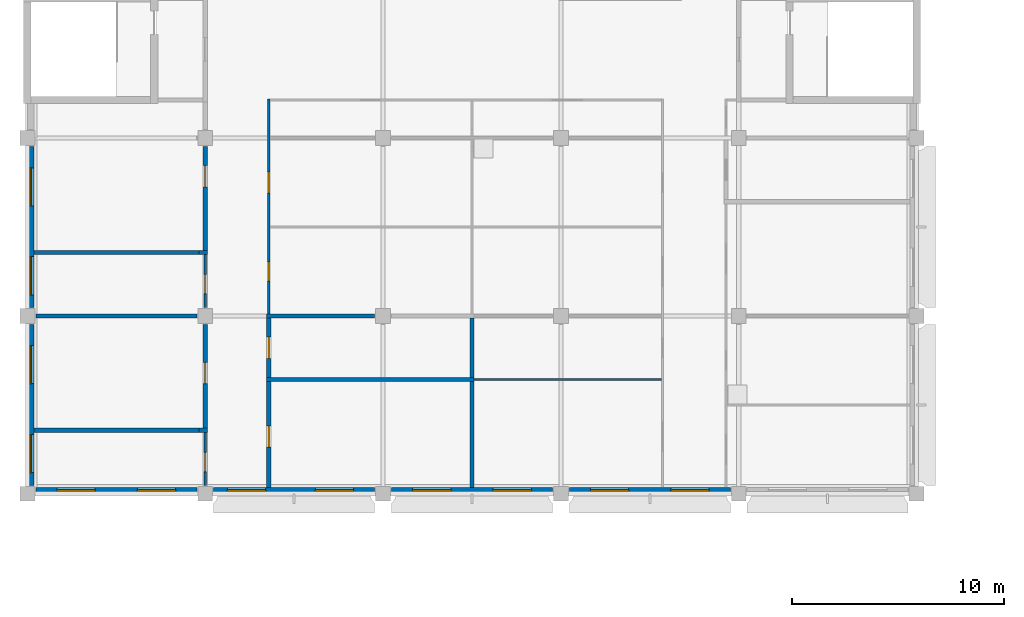
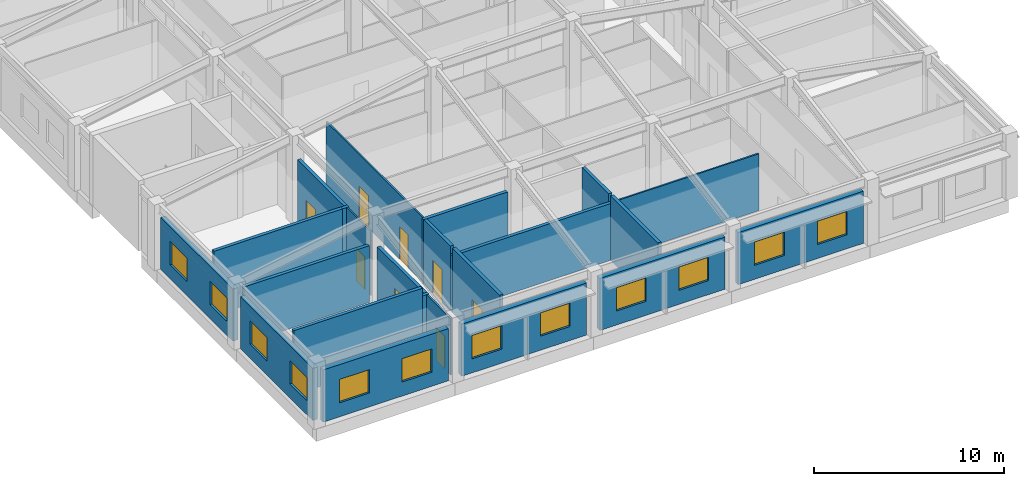
# One storey, part 55 of 136: 23 walls, 12 windows, 8 doors, 20 openings.
"""IFC4 building model written with IfcOpenShell, lengths in metres."""

from ifc_helpers import new_model, si_unit, direction, frame, frame_2d, origin, place, context, subcontext, project, spatial, rectangle, extrude, material, layer, layer_set, type_object, element, fill, save


model = new_model("IFC4")

# Units and contexts
model_context = context("Model", 3, precision=1e-05, world=origin(), true_north=direction((0.0, 1.0)))
body_context = subcontext(model_context, "Body", "Model", "MODEL_VIEW")
ifc_project = project(units=[si_unit("LENGTHUNIT", "METRE"), si_unit("AREAUNIT", "SQUARE_METRE"), si_unit("VOLUMEUNIT", "CUBIC_METRE"), si_unit("PLANEANGLEUNIT", "RADIAN"), si_unit("MASSUNIT", "GRAM", prefix="KILO")], contexts=[model_context])

# Site, building, storey
site_placement = place(None, origin())
site = spatial("IfcSite", under=ifc_project, at=site_placement, CompositionType="ELEMENT")
building_placement = place(site_placement, origin())
building = spatial("IfcBuilding", under=site, at=building_placement, Name="Bougainvillea Quay General Hospital", CompositionType="ELEMENT")
storey_placement = place(building_placement, frame((0.0, 0.0, 5.39990234375)))
storey = spatial("IfcBuildingStorey", under=building, at=storey_placement, Name="L01", CompositionType="ELEMENT", Elevation=5.39990234375)

# Wall, openings, windows
ifc_material_1 = material(Name="Pale stone rainscreen cladding on insulated masonry backing, pale stone", Category="masonry")
ifc_layer_1 = layer(ifc_material_1, 0.300048828125)
ifc_layer_set_1 = layer_set([ifc_layer_1], Name="Pale stone rainscreen cladding on insulated masonry backing, pale stone")
wall_type_1 = type_object("IfcWallType", Name="External wall pale stone rainscreen 300", PredefinedType="STANDARD", material=ifc_layer_set_1)
wall_1_placement = place(storey_placement, frame((8.550048828125, 50.0, 0.0), z_axis=(0.0, 0.0, 1.0), x_axis=(0.0, -1.0, 0.0)))
wall_1 = element("IfcWall", 1, at=wall_1_placement, inside=storey, type_object=wall_type_1, Name="External wall wall/V2/L01/p0/01e", PredefinedType="STANDARD", context=body_context, shape_type="SweptSolid", body=[
    extrude(rectangle(XDim=7.60009765625, YDim=0.300048828125, at=frame_2d((3.800048828125, 0.0))), origin(), (0.0, 0.0, 1.0), 3.35009765625),
])
opening_1_placement = place(wall_1_placement, frame((1.0, 0.0, 0.89990234375)))
opening_1 = element("IfcOpeningElement", 2, at=opening_1_placement, cuts=wall_1, Name="Opening W1", PredefinedType="OPENING", context=body_context, shape_type="SweptSolid", body=[
    extrude(rectangle(XDim=1.800048828125, YDim=1.5, at=frame_2d((0.89990234375, 0.75))), frame((0.0, 0.159912109375, 0.0), z_axis=(0.0, -1.0, 0.0), x_axis=(1.0, 0.0, 0.0)), (0.0, 0.0, 1.0), 0.320068359375),
])
opening_2_placement = place(wall_1_placement, frame((5.199951171875, 0.0, 0.89990234375)))
opening_2 = element("IfcOpeningElement", 3, at=opening_2_placement, cuts=wall_1, Name="Opening W1", PredefinedType="OPENING", context=body_context, shape_type="SweptSolid", body=[
    extrude(rectangle(XDim=1.800048828125, YDim=1.5, at=frame_2d((0.89990234375, 0.75))), frame((0.0, 0.159912109375, 0.0), z_axis=(0.0, -1.0, 0.0), x_axis=(1.0, 0.0, 0.0)), (0.0, 0.0, 1.0), 0.320068359375),
])
ifc_material_2 = material(Name="Aluminium window frame with low-e double glazed unit", Category="aluminium")
window_type = type_object("IfcWindowType", Name="Window W1 1800x1500", PartitioningType="DOUBLE_PANEL_VERTICAL", PredefinedType="WINDOW", material=ifc_material_2)
window_1_placement = place(opening_1_placement, origin())
window_1 = element("IfcWindow", 4, at=window_1_placement, inside=storey, type_object=window_type, Name="Window W1 1", OverallHeight=1.5, OverallWidth=1.800048828125, PartitioningType="SINGLE_PANEL", PredefinedType="WINDOW", context=body_context, shape_type="SweptSolid", body=[
    extrude(rectangle(XDim=1.800048828125, YDim=1.5, at=frame_2d((0.89990234375, 0.75))), frame((0.0, 0.030029296875, 0.0), z_axis=(0.0, -1.0, 0.0), x_axis=(1.0, 0.0, 0.0)), (0.0, 0.0, 1.0), 0.06005859375),
])
fill(opening_1, window_1)
window_2_placement = place(opening_2_placement, origin())
window_2 = element("IfcWindow", 5, at=window_2_placement, inside=storey, type_object=window_type, Name="Window W1 2", OverallHeight=1.5, OverallWidth=1.800048828125, PartitioningType="SINGLE_PANEL", PredefinedType="WINDOW", context=body_context, shape_type="SweptSolid", body=[
    extrude(rectangle(XDim=1.800048828125, YDim=1.5, at=frame_2d((0.89990234375, 0.75))), frame((0.0, 0.030029296875, 0.0), z_axis=(0.0, -1.0, 0.0), x_axis=(1.0, 0.0, 0.0)), (0.0, 0.0, 1.0), 0.06005859375),
])
fill(opening_2, window_2)

wall_2_placement = place(storey_placement, frame((8.550048828125, 41.60009765625, 0.0), z_axis=(0.0, 0.0, 1.0), x_axis=(0.0, -1.0, 0.0)))
wall_2 = element("IfcWall", 6, at=wall_2_placement, inside=storey, type_object=wall_type_1, Name="External wall wall/V2/L01/p0/01f", PredefinedType="STANDARD", context=body_context, shape_type="SweptSolid", body=[
    extrude(rectangle(XDim=7.60009765625, YDim=0.300048828125, at=frame_2d((3.800048828125, 0.0))), origin(), (0.0, 0.0, 1.0), 3.35009765625),
])
opening_3_placement = place(wall_2_placement, frame((1.0, 0.0, 0.89990234375)))
opening_3 = element("IfcOpeningElement", 7, at=opening_3_placement, cuts=wall_2, Name="Opening W1", PredefinedType="OPENING", context=body_context, shape_type="SweptSolid", body=[
    extrude(rectangle(XDim=1.800048828125, YDim=1.5, at=frame_2d((0.89990234375, 0.75))), frame((0.0, 0.159912109375, 0.0), z_axis=(0.0, -1.0, 0.0), x_axis=(1.0, 0.0, 0.0)), (0.0, 0.0, 1.0), 0.320068359375),
])
opening_4_placement = place(wall_2_placement, frame((5.199951171875, 0.0, 0.89990234375)))
opening_4 = element("IfcOpeningElement", 8, at=opening_4_placement, cuts=wall_2, Name="Opening W1", PredefinedType="OPENING", context=body_context, shape_type="SweptSolid", body=[
    extrude(rectangle(XDim=1.800048828125, YDim=1.5, at=frame_2d((0.89990234375, 0.75))), frame((0.0, 0.159912109375, 0.0), z_axis=(0.0, -1.0, 0.0), x_axis=(1.0, 0.0, 0.0)), (0.0, 0.0, 1.0), 0.320068359375),
])
window_3_placement = place(opening_3_placement, origin())
window_3 = element("IfcWindow", 9, at=window_3_placement, inside=storey, type_object=window_type, Name="Window W1 1", OverallHeight=1.5, OverallWidth=1.800048828125, PartitioningType="SINGLE_PANEL", PredefinedType="WINDOW", context=body_context, shape_type="SweptSolid", body=[
    extrude(rectangle(XDim=1.800048828125, YDim=1.5, at=frame_2d((0.89990234375, 0.75))), frame((0.0, 0.030029296875, 0.0), z_axis=(0.0, -1.0, 0.0), x_axis=(1.0, 0.0, 0.0)), (0.0, 0.0, 1.0), 0.06005859375),
])
fill(opening_3, window_3)
window_4_placement = place(opening_4_placement, origin())
window_4 = element("IfcWindow", 10, at=window_4_placement, inside=storey, type_object=window_type, Name="Window W1 2", OverallHeight=1.5, OverallWidth=1.800048828125, PartitioningType="SINGLE_PANEL", PredefinedType="WINDOW", context=body_context, shape_type="SweptSolid", body=[
    extrude(rectangle(XDim=1.800048828125, YDim=1.5, at=frame_2d((0.89990234375, 0.75))), frame((0.0, 0.030029296875, 0.0), z_axis=(0.0, -1.0, 0.0), x_axis=(1.0, 0.0, 0.0)), (0.0, 0.0, 1.0), 0.06005859375),
])
fill(opening_4, window_4)

wall_3_placement = place(storey_placement, frame((8.800048828125, 33.75, 0.0), z_axis=(0.0, 0.0, 1.0), x_axis=(1.0, 0.0, 0.0)))
wall_3 = element("IfcWall", 11, at=wall_3_placement, inside=storey, type_object=wall_type_1, Name="External wall wall/V2/L01/p0/02a", PredefinedType="STANDARD", context=body_context, shape_type="SweptSolid", body=[
    extrude(rectangle(XDim=7.599853515625, YDim=0.300048828125, at=frame_2d((3.7998046875, 0.0))), origin(), (0.0, 0.0, 1.0), 3.35009765625),
])
opening_5_placement = place(wall_3_placement, frame((1.0, 0.0, 0.89990234375)))
opening_5 = element("IfcOpeningElement", 12, at=opening_5_placement, cuts=wall_3, Name="Opening W1", PredefinedType="OPENING", context=body_context, shape_type="SweptSolid", body=[
    extrude(rectangle(XDim=1.800048828125, YDim=1.5, at=frame_2d((0.89990234375, 0.75))), frame((0.0, 0.159912109375, 0.0), z_axis=(0.0, -1.0, 0.0), x_axis=(1.0, 0.0, 0.0)), (0.0, 0.0, 1.0), 0.320068359375),
])
opening_6_placement = place(wall_3_placement, frame((4.800048828125, 0.0, 0.89990234375)))
opening_6 = element("IfcOpeningElement", 13, at=opening_6_placement, cuts=wall_3, Name="Opening W1", PredefinedType="OPENING", context=body_context, shape_type="SweptSolid", body=[
    extrude(rectangle(XDim=1.800048828125, YDim=1.5, at=frame_2d((0.89990234375, 0.75))), frame((0.0, 0.159912109375, 0.0), z_axis=(0.0, -1.0, 0.0), x_axis=(1.0, 0.0, 0.0)), (0.0, 0.0, 1.0), 0.320068359375),
])
window_5_placement = place(opening_5_placement, origin())
window_5 = element("IfcWindow", 14, at=window_5_placement, inside=storey, type_object=window_type, Name="Window W1 1", OverallHeight=1.5, OverallWidth=1.800048828125, PartitioningType="SINGLE_PANEL", PredefinedType="WINDOW", context=body_context, shape_type="SweptSolid", body=[
    extrude(rectangle(XDim=1.800048828125, YDim=1.5, at=frame_2d((0.89990234375, 0.75))), frame((0.0, 0.030029296875, 0.0), z_axis=(0.0, -1.0, 0.0), x_axis=(1.0, 0.0, 0.0)), (0.0, 0.0, 1.0), 0.06005859375),
])
fill(opening_5, window_5)
window_6_placement = place(opening_6_placement, origin())
window_6 = element("IfcWindow", 15, at=window_6_placement, inside=storey, type_object=window_type, Name="Window W1 2", OverallHeight=1.5, OverallWidth=1.800048828125, PartitioningType="SINGLE_PANEL", PredefinedType="WINDOW", context=body_context, shape_type="SweptSolid", body=[
    extrude(rectangle(XDim=1.800048828125, YDim=1.5, at=frame_2d((0.89990234375, 0.75))), frame((0.0, 0.030029296875, 0.0), z_axis=(0.0, -1.0, 0.0), x_axis=(1.0, 0.0, 0.0)), (0.0, 0.0, 1.0), 0.06005859375),
])
fill(opening_6, window_6)

wall_4_placement = place(storey_placement, frame((17.199951171875, 33.75, 0.0), z_axis=(0.0, 0.0, 1.0), x_axis=(1.0, 0.0, 0.0)))
wall_4 = element("IfcWall", 16, at=wall_4_placement, inside=storey, type_object=wall_type_1, Name="External wall wall/V2/L01/p0/02b", PredefinedType="STANDARD", context=body_context, shape_type="SweptSolid", body=[
    extrude(rectangle(XDim=7.60009765625, YDim=0.300048828125, at=frame_2d((3.800048828125, 0.0))), origin(), (0.0, 0.0, 1.0), 3.35009765625),
])
opening_7_placement = place(wall_4_placement, frame((0.64990234375, 0.0, 0.89990234375)))
opening_7 = element("IfcOpeningElement", 17, at=opening_7_placement, cuts=wall_4, Name="Opening W1", PredefinedType="OPENING", context=body_context, shape_type="SweptSolid", body=[
    extrude(rectangle(XDim=1.800048828125, YDim=1.5, at=frame_2d((0.89990234375, 0.75))), frame((0.0, 0.159912109375, 0.0), z_axis=(0.0, -1.0, 0.0), x_axis=(1.0, 0.0, 0.0)), (0.0, 0.0, 1.0), 0.320068359375),
])
opening_8_placement = place(wall_4_placement, frame((4.800048828125, 0.0, 0.89990234375)))
opening_8 = element("IfcOpeningElement", 18, at=opening_8_placement, cuts=wall_4, Name="Opening W1", PredefinedType="OPENING", context=body_context, shape_type="SweptSolid", body=[
    extrude(rectangle(XDim=1.800048828125, YDim=1.5, at=frame_2d((0.89990234375, 0.75))), frame((0.0, 0.159912109375, 0.0), z_axis=(0.0, -1.0, 0.0), x_axis=(1.0, 0.0, 0.0)), (0.0, 0.0, 1.0), 0.320068359375),
])
window_7_placement = place(opening_7_placement, origin())
window_7 = element("IfcWindow", 19, at=window_7_placement, inside=storey, type_object=window_type, Name="Window W1 1", OverallHeight=1.5, OverallWidth=1.800048828125, PartitioningType="SINGLE_PANEL", PredefinedType="WINDOW", context=body_context, shape_type="SweptSolid", body=[
    extrude(rectangle(XDim=1.800048828125, YDim=1.5, at=frame_2d((0.89990234375, 0.75))), frame((0.0, 0.030029296875, 0.0), z_axis=(0.0, -1.0, 0.0), x_axis=(1.0, 0.0, 0.0)), (0.0, 0.0, 1.0), 0.06005859375),
])
fill(opening_7, window_7)
window_8_placement = place(opening_8_placement, origin())
window_8 = element("IfcWindow", 20, at=window_8_placement, inside=storey, type_object=window_type, Name="Window W1 2", OverallHeight=1.5, OverallWidth=1.800048828125, PartitioningType="SINGLE_PANEL", PredefinedType="WINDOW", context=body_context, shape_type="SweptSolid", body=[
    extrude(rectangle(XDim=1.800048828125, YDim=1.5, at=frame_2d((0.89990234375, 0.75))), frame((0.0, 0.030029296875, 0.0), z_axis=(0.0, -1.0, 0.0), x_axis=(1.0, 0.0, 0.0)), (0.0, 0.0, 1.0), 0.06005859375),
])
fill(opening_8, window_8)

wall_5_placement = place(storey_placement, frame((25.60009765625, 33.75, 0.0), z_axis=(0.0, 0.0, 1.0), x_axis=(1.0, 0.0, 0.0)))
wall_5 = element("IfcWall", 21, at=wall_5_placement, inside=storey, type_object=wall_type_1, Name="External wall wall/V2/L01/p0/02c", PredefinedType="STANDARD", context=body_context, shape_type="SweptSolid", body=[
    extrude(rectangle(XDim=7.599853515625, YDim=0.300048828125, at=frame_2d((3.7998046875, 0.0))), origin(), (0.0, 0.0, 1.0), 3.35009765625),
])
opening_9_placement = place(wall_5_placement, frame((1.0, 0.0, 0.89990234375)))
opening_9 = element("IfcOpeningElement", 22, at=opening_9_placement, cuts=wall_5, Name="Opening W1", PredefinedType="OPENING", context=body_context, shape_type="SweptSolid", body=[
    extrude(rectangle(XDim=1.800048828125, YDim=1.5, at=frame_2d((0.89990234375, 0.75))), frame((0.0, 0.159912109375, 0.0), z_axis=(0.0, -1.0, 0.0), x_axis=(1.0, 0.0, 0.0)), (0.0, 0.0, 1.0), 0.320068359375),
])
opening_10_placement = place(wall_5_placement, frame((4.800048828125, 0.0, 0.89990234375)))
opening_10 = element("IfcOpeningElement", 23, at=opening_10_placement, cuts=wall_5, Name="Opening W1", PredefinedType="OPENING", context=body_context, shape_type="SweptSolid", body=[
    extrude(rectangle(XDim=1.800048828125, YDim=1.5, at=frame_2d((0.89990234375, 0.75))), frame((0.0, 0.159912109375, 0.0), z_axis=(0.0, -1.0, 0.0), x_axis=(1.0, 0.0, 0.0)), (0.0, 0.0, 1.0), 0.320068359375),
])
window_9_placement = place(opening_9_placement, origin())
window_9 = element("IfcWindow", 24, at=window_9_placement, inside=storey, type_object=window_type, Name="Window W1 1", OverallHeight=1.5, OverallWidth=1.800048828125, PartitioningType="SINGLE_PANEL", PredefinedType="WINDOW", context=body_context, shape_type="SweptSolid", body=[
    extrude(rectangle(XDim=1.800048828125, YDim=1.5, at=frame_2d((0.89990234375, 0.75))), frame((0.0, 0.030029296875, 0.0), z_axis=(0.0, -1.0, 0.0), x_axis=(1.0, 0.0, 0.0)), (0.0, 0.0, 1.0), 0.06005859375),
])
fill(opening_9, window_9)
window_10_placement = place(opening_10_placement, origin())
window_10 = element("IfcWindow", 25, at=window_10_placement, inside=storey, type_object=window_type, Name="Window W1 2", OverallHeight=1.5, OverallWidth=1.800048828125, PartitioningType="SINGLE_PANEL", PredefinedType="WINDOW", context=body_context, shape_type="SweptSolid", body=[
    extrude(rectangle(XDim=1.800048828125, YDim=1.5, at=frame_2d((0.89990234375, 0.75))), frame((0.0, 0.030029296875, 0.0), z_axis=(0.0, -1.0, 0.0), x_axis=(1.0, 0.0, 0.0)), (0.0, 0.0, 1.0), 0.06005859375),
])
fill(opening_10, window_10)

wall_6_placement = place(storey_placement, frame((34.0, 33.75, 0.0), z_axis=(0.0, 0.0, 1.0), x_axis=(1.0, 0.0, 0.0)))
wall_6 = element("IfcWall", 26, at=wall_6_placement, inside=storey, type_object=wall_type_1, Name="External wall wall/V2/L01/p0/02d", PredefinedType="STANDARD", context=body_context, shape_type="SweptSolid", body=[
    extrude(rectangle(XDim=7.60009765625, YDim=0.300048828125, at=frame_2d((3.800048828125, 0.0))), origin(), (0.0, 0.0, 1.0), 3.35009765625),
])
opening_11_placement = place(wall_6_placement, frame((1.0, 0.0, 0.89990234375)))
opening_11 = element("IfcOpeningElement", 27, at=opening_11_placement, cuts=wall_6, Name="Opening W1", PredefinedType="OPENING", context=body_context, shape_type="SweptSolid", body=[
    extrude(rectangle(XDim=1.800048828125, YDim=1.5, at=frame_2d((0.89990234375, 0.75))), frame((0.0, 0.159912109375, 0.0), z_axis=(0.0, -1.0, 0.0), x_axis=(1.0, 0.0, 0.0)), (0.0, 0.0, 1.0), 0.320068359375),
])
opening_12_placement = place(wall_6_placement, frame((4.800048828125, 0.0, 0.89990234375)))
opening_12 = element("IfcOpeningElement", 28, at=opening_12_placement, cuts=wall_6, Name="Opening W1", PredefinedType="OPENING", context=body_context, shape_type="SweptSolid", body=[
    extrude(rectangle(XDim=1.800048828125, YDim=1.5, at=frame_2d((0.89990234375, 0.75))), frame((0.0, 0.159912109375, 0.0), z_axis=(0.0, -1.0, 0.0), x_axis=(1.0, 0.0, 0.0)), (0.0, 0.0, 1.0), 0.320068359375),
])
window_11_placement = place(opening_11_placement, origin())
window_11 = element("IfcWindow", 29, at=window_11_placement, inside=storey, type_object=window_type, Name="Window W1 1", OverallHeight=1.5, OverallWidth=1.800048828125, PartitioningType="SINGLE_PANEL", PredefinedType="WINDOW", context=body_context, shape_type="SweptSolid", body=[
    extrude(rectangle(XDim=1.800048828125, YDim=1.5, at=frame_2d((0.89990234375, 0.75))), frame((0.0, 0.030029296875, 0.0), z_axis=(0.0, -1.0, 0.0), x_axis=(1.0, 0.0, 0.0)), (0.0, 0.0, 1.0), 0.06005859375),
])
fill(opening_11, window_11)
window_12_placement = place(opening_12_placement, origin())
window_12 = element("IfcWindow", 30, at=window_12_placement, inside=storey, type_object=window_type, Name="Window W1 2", OverallHeight=1.5, OverallWidth=1.800048828125, PartitioningType="SINGLE_PANEL", PredefinedType="WINDOW", context=body_context, shape_type="SweptSolid", body=[
    extrude(rectangle(XDim=1.800048828125, YDim=1.5, at=frame_2d((0.89990234375, 0.75))), frame((0.0, 0.030029296875, 0.0), z_axis=(0.0, -1.0, 0.0), x_axis=(1.0, 0.0, 0.0)), (0.0, 0.0, 1.0), 0.06005859375),
])
fill(opening_12, window_12)

# Wall, openings, doors
ifc_material_3 = material(Name="Gypsum board partition on steel studs", Category="steel")
ifc_layer_2 = layer(ifc_material_3, 0.10009765625)
ifc_layer_set_2 = layer_set([ifc_layer_2], Name="Gypsum board partition on steel studs")
wall_type_2 = type_object("IfcWallType", Name="Partition 100 Gypsum board partition", PredefinedType="PARTITIONING", material=ifc_layer_set_2)
wall_7_placement = place(storey_placement, frame((19.800048828125, 52.25, 0.0), z_axis=(0.0, 0.0, 1.0), x_axis=(0.0, -1.0, 0.0)))
wall_7 = element("IfcWall", 31, at=wall_7_placement, inside=storey, type_object=wall_type_2, Name="Partition 100 mm", PredefinedType="PARTITIONING", context=body_context, shape_type="SweptSolid", body=[
    extrude(rectangle(XDim=10.14990234375, YDim=0.10009765625, at=frame_2d((5.074951171875, 0.0))), origin(), (0.0, 0.0, 1.0), 4.150146484375),
])
opening_13_placement = place(wall_7_placement, frame((3.449951171875, 0.0, 0.0)))
opening_13 = element("IfcOpeningElement", 32, at=opening_13_placement, cuts=wall_7, Name="Opening L01.065", PredefinedType="OPENING", context=body_context, shape_type="SweptSolid", body=[
    extrude(rectangle(XDim=1.0, YDim=2.10009765625, at=frame_2d((0.5, 1.050048828125))), frame((0.0, 0.06005859375, 0.0), z_axis=(0.0, -1.0, 0.0), x_axis=(1.0, 0.0, 0.0)), (0.0, 0.0, 1.0), 0.1201171875),
])
opening_14_placement = place(wall_7_placement, frame((7.699951171875, 0.0, 0.0)))
opening_14 = element("IfcOpeningElement", 33, at=opening_14_placement, cuts=wall_7, Name="Opening L01.066", PredefinedType="OPENING", context=body_context, shape_type="SweptSolid", body=[
    extrude(rectangle(XDim=0.89990234375, YDim=2.10009765625, at=frame_2d((0.449951171875, 1.050048828125))), frame((0.0, 0.06005859375, 0.0), z_axis=(0.0, -1.0, 0.0), x_axis=(1.0, 0.0, 0.0)), (0.0, 0.0, 1.0), 0.1201171875),
])
ifc_material_4 = material(Name="Solid-core timber door leaf in steel frame", Category="steel")
door_type_1 = type_object("IfcDoorType", Name="Single leaf door 1000x2100", OperationType="NOTDEFINED", PredefinedType="DOOR", material=ifc_material_4)
door_1_placement = place(opening_13_placement, origin())
door_1 = element("IfcDoor", 34, at=door_1_placement, inside=storey, type_object=door_type_1, Name="DT06 L01.065", OperationType="SINGLE_SWING_LEFT", OverallHeight=2.10009765625, OverallWidth=1.0, PredefinedType="DOOR", context=body_context, shape_type="SweptSolid", body=[
    extrude(rectangle(XDim=1.0, YDim=2.10009765625, at=frame_2d((0.5, 1.050048828125))), frame((0.0, 0.02490234375, 0.0), z_axis=(0.0, -1.0, 0.0), x_axis=(1.0, 0.0, 0.0)), (0.0, 0.0, 1.0), 0.050048828125),
])
fill(opening_13, door_1)
door_type_2 = type_object("IfcDoorType", Name="Single leaf door 900x2100", OperationType="NOTDEFINED", PredefinedType="DOOR", material=ifc_material_4)
door_2_placement = place(opening_14_placement, origin())
door_2 = element("IfcDoor", 35, at=door_2_placement, inside=storey, type_object=door_type_2, Name="DT07 L01.066", OperationType="SINGLE_SWING_RIGHT", OverallHeight=2.10009765625, OverallWidth=0.89990234375, PredefinedType="DOOR", context=body_context, shape_type="SweptSolid", body=[
    extrude(rectangle(XDim=0.89990234375, YDim=2.10009765625, at=frame_2d((0.449951171875, 1.050048828125))), frame((0.0, 0.02490234375, 0.0), z_axis=(0.0, -1.0, 0.0), x_axis=(1.0, 0.0, 0.0)), (0.0, 0.0, 1.0), 0.050048828125),
])
fill(opening_14, door_2)

# Wall
wall_8_placement = place(storey_placement, frame((29.5, 39.0, 0.0), z_axis=(0.0, 0.0, 1.0), x_axis=(1.0, 0.0, 0.0)))
element("IfcWall", 36, at=wall_8_placement, inside=storey, type_object=wall_type_2, Name="Partition 100 mm", PredefinedType="PARTITIONING", context=body_context, shape_type="SweptSolid", body=[
    extrude(rectangle(XDim=8.85009765625, YDim=0.10009765625, at=frame_2d((4.425048828125, 0.0))), origin(), (0.0, 0.0, 1.0), 3.647216796875),
])

# Wall, opening, door
wall_9_placement = place(storey_placement, frame((16.800048828125, 34.0, 0.0), z_axis=(0.0, 0.0, 1.0), x_axis=(0.0, 1.0, 0.0)))
wall_9 = element("IfcWall", 37, at=wall_9_placement, inside=storey, type_object=wall_type_2, Name="Partition 100 mm", PredefinedType="PARTITIONING", context=body_context, shape_type="SweptSolid", body=[
    extrude(rectangle(XDim=2.5, YDim=0.10009765625, at=frame_2d((1.25, 0.0))), origin(), (0.0, 0.0, 1.0), 3.647216796875),
])
opening_15_placement = place(wall_9_placement, frame((0.64990234375, 0.0, 0.0)))
opening_15 = element("IfcOpeningElement", 38, at=opening_15_placement, cuts=wall_9, Name="Opening L01.063", PredefinedType="OPENING", context=body_context, shape_type="SweptSolid", body=[
    extrude(rectangle(XDim=0.89990234375, YDim=2.10009765625, at=frame_2d((0.449951171875, 1.050048828125))), frame((0.0, 0.06005859375, 0.0), z_axis=(0.0, -1.0, 0.0), x_axis=(1.0, 0.0, 0.0)), (0.0, 0.0, 1.0), 0.1201171875),
])
door_3_placement = place(opening_15_placement, origin())
door_3 = element("IfcDoor", 39, at=door_3_placement, inside=storey, type_object=door_type_2, Name="DT07 L01.063", OperationType="SINGLE_SWING_LEFT", OverallHeight=2.10009765625, OverallWidth=0.89990234375, PredefinedType="DOOR", context=body_context, shape_type="SweptSolid", body=[
    extrude(rectangle(XDim=0.89990234375, YDim=2.10009765625, at=frame_2d((0.449951171875, 1.050048828125))), frame((0.0, 0.02490234375, 0.0), z_axis=(0.0, -1.0, 0.0), x_axis=(1.0, 0.0, 0.0)), (0.0, 0.0, 1.0), 0.050048828125),
])
fill(opening_15, door_3)

wall_10_placement = place(storey_placement, frame((16.800048828125, 42.39990234375, 0.0), z_axis=(0.0, 0.0, 1.0), x_axis=(0.0, 1.0, 0.0)))
wall_10 = element("IfcWall", 40, at=wall_10_placement, inside=storey, type_object=wall_type_2, Name="Partition 100 mm", PredefinedType="PARTITIONING", context=body_context, shape_type="SweptSolid", body=[
    extrude(rectangle(XDim=2.5, YDim=0.10009765625, at=frame_2d((1.25, 0.0))), origin(), (0.0, 0.0, 1.0), 4.150146484375),
])
opening_16_placement = place(wall_10_placement, frame((0.64990234375, 0.0, 0.0)))
opening_16 = element("IfcOpeningElement", 41, at=opening_16_placement, cuts=wall_10, Name="Opening L01.061", PredefinedType="OPENING", context=body_context, shape_type="SweptSolid", body=[
    extrude(rectangle(XDim=0.89990234375, YDim=2.10009765625, at=frame_2d((0.449951171875, 1.050048828125))), frame((0.0, 0.06005859375, 0.0), z_axis=(0.0, -1.0, 0.0), x_axis=(1.0, 0.0, 0.0)), (0.0, 0.0, 1.0), 0.1201171875),
])
door_4_placement = place(opening_16_placement, origin())
door_4 = element("IfcDoor", 42, at=door_4_placement, inside=storey, type_object=door_type_2, Name="DT07 L01.061", OperationType="SINGLE_SWING_LEFT", OverallHeight=2.10009765625, OverallWidth=0.89990234375, PredefinedType="DOOR", context=body_context, shape_type="SweptSolid", body=[
    extrude(rectangle(XDim=0.89990234375, YDim=2.10009765625, at=frame_2d((0.449951171875, 1.050048828125))), frame((0.0, 0.02490234375, 0.0), z_axis=(0.0, -1.0, 0.0), x_axis=(1.0, 0.0, 0.0)), (0.0, 0.0, 1.0), 0.050048828125),
])
fill(opening_16, door_4)

# Walls
ifc_material_5 = material(Name="Autoclaved aerated block wall, plastered")
ifc_layer_3 = layer(ifc_material_5, 0.199951171875)
ifc_layer_set_3 = layer_set([ifc_layer_3], Name="Autoclaved aerated block wall, plastered")
wall_type_3 = type_object("IfcWallType", Name="Partition 200 Autoclaved aerated block wall", PredefinedType="SOLIDWALL", material=ifc_layer_set_3)
wall_11_placement = place(storey_placement, frame((8.699951171875, 36.60009765625, 0.0), z_axis=(0.0, 0.0, 1.0), x_axis=(1.0, 0.0, 0.0)))
element("IfcWall", 43, at=wall_11_placement, inside=storey, type_object=wall_type_3, Name="Partition 200 mm", PredefinedType="SOLIDWALL", context=body_context, shape_type="SweptSolid", body=[
    extrude(rectangle(XDim=7.800048828125, YDim=0.199951171875, at=frame_2d((3.89990234375, 0.0))), origin(), (0.0, 0.0, 1.0), 4.150146484375),
])
wall_12_placement = place(storey_placement, frame((16.5, 36.60009765625, 0.0), z_axis=(0.0, 0.0, 1.0), x_axis=(1.0, 0.0, 0.0)))
element("IfcWall", 44, at=wall_12_placement, inside=storey, type_object=wall_type_3, Name="Partition 200 mm", PredefinedType="SOLIDWALL", context=body_context, shape_type="SweptSolid", body=[
    extrude(rectangle(XDim=0.39990234375, YDim=0.199951171875, at=frame_2d((0.199951171875, 0.0))), origin(), (0.0, 0.0, 1.0), 3.647216796875),
])
wall_13_placement = place(storey_placement, frame((8.800048828125, 42.0, 0.0), z_axis=(0.0, 0.0, 1.0), x_axis=(1.0, 0.0, 0.0)))
element("IfcWall", 45, at=wall_13_placement, inside=storey, type_object=wall_type_3, Name="Partition 200 mm", PredefinedType="SOLIDWALL", context=body_context, shape_type="SweptSolid", body=[
    extrude(rectangle(XDim=7.599853515625, YDim=0.199951171875, at=frame_2d((3.7998046875, 0.0))), origin(), (0.0, 0.0, 1.0), 3.647216796875),
])
wall_14_placement = place(storey_placement, frame((8.699951171875, 45.0, 0.0), z_axis=(0.0, 0.0, 1.0), x_axis=(1.0, 0.0, 0.0)))
element("IfcWall", 46, at=wall_14_placement, inside=storey, type_object=wall_type_3, Name="Partition 200 mm", PredefinedType="SOLIDWALL", context=body_context, shape_type="SweptSolid", body=[
    extrude(rectangle(XDim=7.800048828125, YDim=0.199951171875, at=frame_2d((3.89990234375, 0.0))), origin(), (0.0, 0.0, 1.0), 4.150146484375),
])
wall_15_placement = place(storey_placement, frame((16.5, 45.0, 0.0), z_axis=(0.0, 0.0, 1.0), x_axis=(1.0, 0.0, 0.0)))
element("IfcWall", 47, at=wall_15_placement, inside=storey, type_object=wall_type_3, Name="Partition 200 mm", PredefinedType="SOLIDWALL", context=body_context, shape_type="SweptSolid", body=[
    extrude(rectangle(XDim=0.39990234375, YDim=0.199951171875, at=frame_2d((0.199951171875, 0.0))), origin(), (0.0, 0.0, 1.0), 4.150146484375),
])

# Wall, opening, door
wall_16_placement = place(storey_placement, frame((16.800048828125, 45.10009765625, 0.0), z_axis=(0.0, 0.0, 1.0), x_axis=(0.0, 1.0, 0.0)))
wall_16 = element("IfcWall", 48, at=wall_16_placement, inside=storey, type_object=wall_type_3, Name="Partition 200 mm", PredefinedType="SOLIDWALL", context=body_context, shape_type="SweptSolid", body=[
    extrude(rectangle(XDim=4.89990234375, YDim=0.199951171875, at=frame_2d((2.449951171875, 0.0))), origin(), (0.0, 0.0, 1.0), 4.150146484375),
])
opening_17_placement = place(wall_16_placement, frame((3.0, 0.0, 0.0)))
opening_17 = element("IfcOpeningElement", 49, at=opening_17_placement, cuts=wall_16, Name="Opening L01.060", PredefinedType="OPENING", context=body_context, shape_type="SweptSolid", body=[
    extrude(rectangle(XDim=1.0, YDim=2.10009765625, at=frame_2d((0.5, 1.050048828125))), frame((0.0, 0.10986328125, 0.0), z_axis=(0.0, -1.0, 0.0), x_axis=(1.0, 0.0, 0.0)), (0.0, 0.0, 1.0), 0.219970703125),
])
door_5_placement = place(opening_17_placement, origin())
door_5 = element("IfcDoor", 50, at=door_5_placement, inside=storey, type_object=door_type_1, Name="DT06 L01.060", OperationType="SINGLE_SWING_RIGHT", OverallHeight=2.10009765625, OverallWidth=1.0, PredefinedType="DOOR", context=body_context, shape_type="SweptSolid", body=[
    extrude(rectangle(XDim=1.0, YDim=2.10009765625, at=frame_2d((0.5, 1.050048828125))), frame((0.0, 0.02490234375, 0.0), z_axis=(0.0, -1.0, 0.0), x_axis=(1.0, 0.0, 0.0)), (0.0, 0.0, 1.0), 0.050048828125),
])
fill(opening_17, door_5)

wall_17_placement = place(storey_placement, frame((16.800048828125, 36.699951171875, 0.0), z_axis=(0.0, 0.0, 1.0), x_axis=(0.0, 1.0, 0.0)))
wall_17 = element("IfcWall", 51, at=wall_17_placement, inside=storey, type_object=wall_type_3, Name="Partition 200 mm", PredefinedType="SOLIDWALL", context=body_context, shape_type="SweptSolid", body=[
    extrude(rectangle(XDim=4.900146484375, YDim=0.199951171875, at=frame_2d((2.4501953125, 0.0))), origin(), (0.0, 0.0, 1.0), 3.647216796875),
])
opening_18_placement = place(wall_17_placement, frame((2.10009765625, 0.0, 0.0)))
opening_18 = element("IfcOpeningElement", 52, at=opening_18_placement, cuts=wall_17, Name="Opening L01.062", PredefinedType="OPENING", context=body_context, shape_type="SweptSolid", body=[
    extrude(rectangle(XDim=1.0, YDim=2.10009765625, at=frame_2d((0.5, 1.050048828125))), frame((0.0, 0.10986328125, 0.0), z_axis=(0.0, -1.0, 0.0), x_axis=(1.0, 0.0, 0.0)), (0.0, 0.0, 1.0), 0.219970703125),
])
door_6_placement = place(opening_18_placement, origin())
door_6 = element("IfcDoor", 53, at=door_6_placement, inside=storey, type_object=door_type_1, Name="DT06 L01.062", OperationType="SINGLE_SWING_RIGHT", OverallHeight=2.10009765625, OverallWidth=1.0, PredefinedType="DOOR", context=body_context, shape_type="SweptSolid", body=[
    extrude(rectangle(XDim=1.0, YDim=2.10009765625, at=frame_2d((0.5, 1.050048828125))), frame((0.0, 0.02490234375, 0.0), z_axis=(0.0, -1.0, 0.0), x_axis=(1.0, 0.0, 0.0)), (0.0, 0.0, 1.0), 0.050048828125),
])
fill(opening_18, door_6)

wall_18_placement = place(storey_placement, frame((19.800048828125, 33.89990234375, 0.0), z_axis=(0.0, 0.0, 1.0), x_axis=(0.0, 1.0, 0.0)))
wall_18 = element("IfcWall", 54, at=wall_18_placement, inside=storey, type_object=wall_type_3, Name="Partition 200 mm", PredefinedType="SOLIDWALL", context=body_context, shape_type="SweptSolid", body=[
    extrude(rectangle(XDim=5.0, YDim=0.199951171875, at=frame_2d((2.5, 0.0))), origin(), (0.0, 0.0, 1.0), 4.150146484375),
])
opening_19_placement = place(wall_18_placement, frame((1.89990234375, 0.0, 0.0)))
opening_19 = element("IfcOpeningElement", 55, at=opening_19_placement, cuts=wall_18, Name="Opening L01.068", PredefinedType="OPENING", context=body_context, shape_type="SweptSolid", body=[
    extrude(rectangle(XDim=1.0, YDim=2.10009765625, at=frame_2d((0.5, 1.050048828125))), frame((0.0, 0.10986328125, 0.0), z_axis=(0.0, -1.0, 0.0), x_axis=(1.0, 0.0, 0.0)), (0.0, 0.0, 1.0), 0.219970703125),
])
door_7_placement = place(opening_19_placement, frame((1.0, 0.0, 0.0), z_axis=(0.0, 0.0, 1.0), x_axis=(-1.0, 0.0, 0.0)))
door_7 = element("IfcDoor", 56, at=door_7_placement, inside=storey, type_object=door_type_1, Name="DT06 L01.068", OperationType="SINGLE_SWING_RIGHT", OverallHeight=2.10009765625, OverallWidth=1.0, PredefinedType="DOOR", context=body_context, shape_type="SweptSolid", body=[
    extrude(rectangle(XDim=1.0, YDim=2.10009765625, at=frame_2d((0.5, 1.050048828125))), frame((0.0, 0.02490234375, 0.0), z_axis=(0.0, -1.0, 0.0), x_axis=(1.0, 0.0, 0.0)), (0.0, 0.0, 1.0), 0.050048828125),
])
fill(opening_19, door_7)

# Walls
wall_19_placement = place(storey_placement, frame((29.39990234375, 33.89990234375, 0.0), z_axis=(0.0, 0.0, 1.0), x_axis=(0.0, 1.0, 0.0)))
element("IfcWall", 57, at=wall_19_placement, inside=storey, type_object=wall_type_3, Name="Partition 200 mm", PredefinedType="SOLIDWALL", context=body_context, shape_type="SweptSolid", body=[
    extrude(rectangle(XDim=5.0, YDim=0.199951171875, at=frame_2d((2.5, 0.0))), origin(), (0.0, 0.0, 1.0), 4.150146484375),
])
ifc_material_6 = material(Name="Fire-rated autoclaved aerated block wall, plastered")
ifc_layer_4 = layer(ifc_material_6, 0.199951171875)
ifc_layer_set_4 = layer_set([ifc_layer_4], Name="Fire-rated autoclaved aerated block wall, plastered")
wall_type_4 = type_object("IfcWallType", Name="Partition 200 Fire-rated autoclaved aerated block wall EI 60", PredefinedType="SOLIDWALL", material=ifc_layer_set_4)
wall_20_placement = place(storey_placement, frame((19.699951171875, 39.0, 0.0), z_axis=(0.0, 0.0, 1.0), x_axis=(1.0, 0.0, 0.0)))
element("IfcWall", 58, at=wall_20_placement, inside=storey, type_object=wall_type_4, Name="Partition 200 mm EI 60", PredefinedType="SOLIDWALL", context=body_context, shape_type="SweptSolid", body=[
    extrude(rectangle(XDim=9.800048828125, YDim=0.199951171875, at=frame_2d((4.89990234375, 0.0))), origin(), (0.0, 0.0, 1.0), 3.647216796875),
])
wall_21_placement = place(storey_placement, frame((19.699951171875, 42.0, 0.0), z_axis=(0.0, 0.0, 1.0), x_axis=(1.0, 0.0, 0.0)))
element("IfcWall", 59, at=wall_21_placement, inside=storey, type_object=wall_type_4, Name="Partition 200 mm EI 60", PredefinedType="SOLIDWALL", context=body_context, shape_type="SweptSolid", body=[
    extrude(rectangle(XDim=5.10009765625, YDim=0.199951171875, at=frame_2d((2.550048828125, 0.0))), origin(), (0.0, 0.0, 1.0), 4.150146484375),
])

# Wall, opening, door
wall_22_placement = place(storey_placement, frame((19.800048828125, 39.10009765625, 0.0), z_axis=(0.0, 0.0, 1.0), x_axis=(0.0, 1.0, 0.0)))
wall_22 = element("IfcWall", 60, at=wall_22_placement, inside=storey, type_object=wall_type_4, Name="Partition 200 mm EI 60", PredefinedType="SOLIDWALL", context=body_context, shape_type="SweptSolid", body=[
    extrude(rectangle(XDim=2.7998046875, YDim=0.199951171875, at=frame_2d((1.39990234375, 0.0))), origin(), (0.0, 0.0, 1.0), 4.150146484375),
])
opening_20_placement = place(wall_22_placement, frame((0.89990234375, 0.0, 0.0)))
opening_20 = element("IfcOpeningElement", 61, at=opening_20_placement, cuts=wall_22, Name="Opening L01.067", PredefinedType="OPENING", context=body_context, shape_type="SweptSolid", body=[
    extrude(rectangle(XDim=1.0, YDim=2.10009765625, at=frame_2d((0.5, 1.050048828125))), frame((0.0, 0.10986328125, 0.0), z_axis=(0.0, -1.0, 0.0), x_axis=(1.0, 0.0, 0.0)), (0.0, 0.0, 1.0), 0.219970703125),
])
ifc_material_7 = material(Name="Steel fire door leaf in steel frame", Category="steel")
door_type_3 = type_object("IfcDoorType", Name="Steel single leaf door 1000x2100 FD60", OperationType="NOTDEFINED", PredefinedType="DOOR", material=ifc_material_7)
door_8_placement = place(opening_20_placement, frame((1.0, 0.0, 0.0), z_axis=(0.0, 0.0, 1.0), x_axis=(-1.0, 0.0, 0.0)))
door_8 = element("IfcDoor", 62, at=door_8_placement, inside=storey, type_object=door_type_3, Name="DT10 L01.067", OperationType="SINGLE_SWING_RIGHT", OverallHeight=2.10009765625, OverallWidth=1.0, PredefinedType="DOOR", context=body_context, shape_type="SweptSolid", body=[
    extrude(rectangle(XDim=1.0, YDim=2.10009765625, at=frame_2d((0.5, 1.050048828125))), frame((0.0, 0.02490234375, 0.0), z_axis=(0.0, -1.0, 0.0), x_axis=(1.0, 0.0, 0.0)), (0.0, 0.0, 1.0), 0.050048828125),
])
fill(opening_20, door_8)

# Wall
wall_23_placement = place(storey_placement, frame((29.39990234375, 39.10009765625, 0.0), z_axis=(0.0, 0.0, 1.0), x_axis=(0.0, 1.0, 0.0)))
element("IfcWall", 63, at=wall_23_placement, inside=storey, type_object=wall_type_4, Name="Partition 200 mm EI 60", PredefinedType="SOLIDWALL", context=body_context, shape_type="SweptSolid", body=[
    extrude(rectangle(XDim=2.7998046875, YDim=0.199951171875, at=frame_2d((1.39990234375, 0.0))), origin(), (0.0, 0.0, 1.0), 4.150146484375),
])

save(model, "model.ifc")
